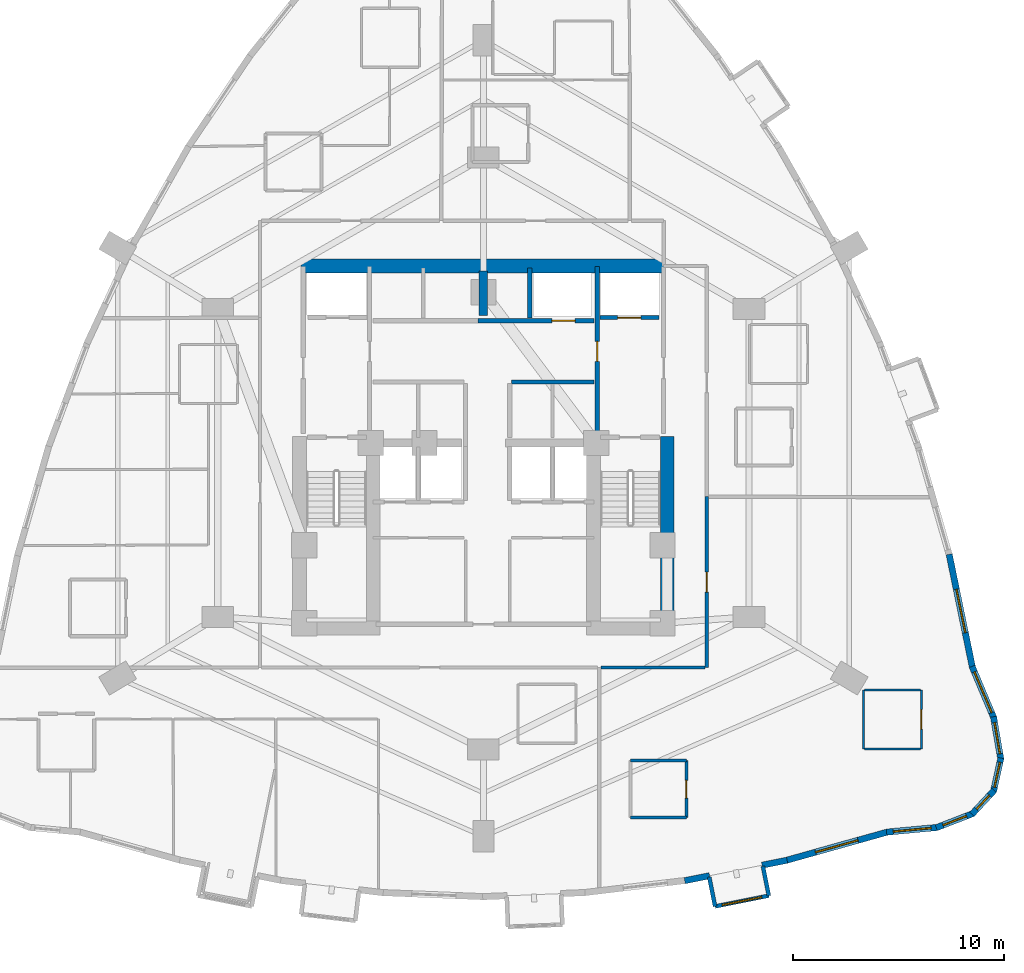
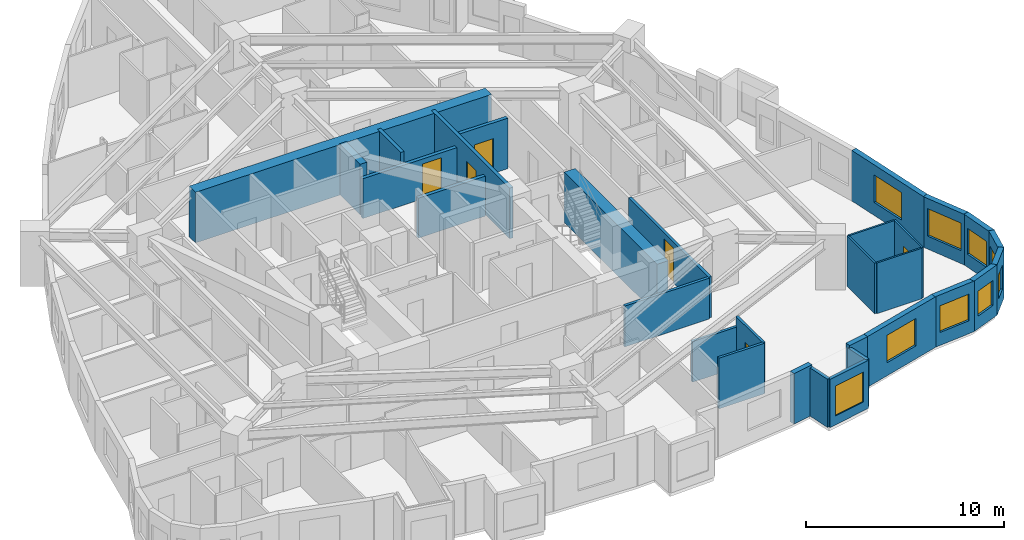
# One storey, part 8 of 12: 30 walls, 9 windows, 6 doors, 15 openings.
"""IFC4 building model written with IfcOpenShell, lengths in metres."""

from ifc_helpers import new_model, si_unit, direction, frame, frame_2d, origin, place, context, subcontext, project, spatial, rectangle, extrude, material, layer, layer_set, type_object, element, fill, save


model = new_model("IFC4")

# Units and contexts
model_context = context("Model", 3, precision=1e-05, world=origin(), true_north=direction((0.0, 1.0)))
body_context = subcontext(model_context, "Body", "Model", "MODEL_VIEW")
ifc_project = project(units=[si_unit("LENGTHUNIT", "METRE"), si_unit("AREAUNIT", "SQUARE_METRE"), si_unit("VOLUMEUNIT", "CUBIC_METRE"), si_unit("PLANEANGLEUNIT", "RADIAN"), si_unit("MASSUNIT", "GRAM", prefix="KILO")], contexts=[model_context])

# Site, building, storey
site_placement = place(None, origin())
site = spatial("IfcSite", under=ifc_project, at=site_placement, CompositionType="ELEMENT")
building_placement = place(site_placement, origin())
building = spatial("IfcBuilding", under=site, at=building_placement, Name="Miruveldt Soraemaru", CompositionType="ELEMENT")
storey_placement = place(building_placement, frame((0.0, 0.0, 56.39990234375)))
storey = spatial("IfcBuildingStorey", under=building, at=storey_placement, Name="L15", CompositionType="ELEMENT", Elevation=56.39990234375)

# Walls
ifc_material_1 = material(Name="White powder-coated aluminium EN AW-6060 T6", Category="aluminium")
ifc_layer_1 = layer(ifc_material_1, 0.18994140625, Name="White powder-coated aluminium EN AW-6060 T6", Category="aluminium")
ifc_layer_set_1 = layer_set([ifc_layer_1], Name="White powder-coated aluminium EN AW-6060 T6")
wall_type_1 = type_object("IfcWallType", Name="WALL-BAY-ALU190", PredefinedType="SOLIDWALL", material=ifc_layer_set_1)
for number, where, z_axis, x_axis, name in (
    (1, (54.7138671875, 23.45751953125, 0.0), (0.0, 0.0, 1.0), (0.196182033934, -0.980567493629, 0.0), "L15 Bay Window Side Cheek 3L"),
    (2, (57.54296875, 22.570068359375, 0.0), (0.0, 0.0, 1.0), (-0.196182033934, 0.980567493629, 0.0), "L15 Bay Window Side Cheek 3R"),
):
    element("IfcWall", number, at=place(storey_placement, frame(where, z_axis=z_axis, x_axis=x_axis)), inside=storey, type_object=wall_type_1, Name=name, PredefinedType="SOLIDWALL", context=body_context, shape_type="SweptSolid", body=[
        extrude(rectangle(XDim=1.4248046875, YDim=0.18994140625, at=frame_2d((0.71240234375, 0.0))), origin(), (0.0, 0.0, 1.0), 2.97509765625),
    ])

# Wall, opening, window
wall_1_placement = place(storey_placement, frame((54.993408203125, 22.060302734375, 0.0), z_axis=(0.0, 0.0, 1.0), x_axis=(0.980591508741, 0.196061962104, 0.0)))
wall_1 = element("IfcWall", 3, at=wall_1_placement, inside=storey, type_object=wall_type_1, Name="L15 Bay Window Front Frame 3", PredefinedType="SOLIDWALL", context=body_context, shape_type="SweptSolid", body=[
    extrude(rectangle(XDim=2.60009765625, YDim=0.18994140625, at=frame_2d((1.300048828125, 0.0))), origin(), (0.0, 0.0, 1.0), 2.97509765625),
])
opening_1_placement = place(wall_1_placement, frame((0.35009765625, 0.0, 0.550048828125)))
opening_1 = element("IfcOpeningElement", 4, at=opening_1_placement, cuts=wall_1, Name="Opening WN-6", PredefinedType="OPENING", context=body_context, shape_type="SweptSolid", body=[
    extrude(rectangle(XDim=1.89990234375, YDim=1.85009765625, at=frame_2d((0.949951171875, 0.925048828125))), frame((0.0, 0.10498046875, 0.0), z_axis=(0.0, -1.0, 0.0), x_axis=(1.0, 0.0, 0.0)), (0.0, 0.0, 1.0), 0.2099609375),
])
ifc_material_2 = material(Name="Triple low-e insulated glazing", Category="glass")
window_type_1 = type_object("IfcWindowType", Name="WIN-BAYW-1900x1850", PartitioningType="SINGLE_PANEL", PredefinedType="WINDOW", material=ifc_material_2)
window_1_placement = place(opening_1_placement, origin())
window_1 = element("IfcWindow", 5, at=window_1_placement, inside=storey, type_object=window_type_1, Name="L15 Projecting Bay Window 3", OverallHeight=1.85009765625, OverallWidth=1.89990234375, PartitioningType="SINGLE_PANEL", PredefinedType="WINDOW", context=body_context, shape_type="SweptSolid", body=[
    extrude(rectangle(XDim=1.89990234375, YDim=1.85009765625, at=frame_2d((0.949951171875, 0.925048828125))), frame((0.0, 0.030029296875, 0.0), z_axis=(0.0, -1.0, 0.0), x_axis=(1.0, 0.0, 0.0)), (0.0, 0.0, 1.0), 0.06005859375),
])
fill(opening_1, window_1)

# Walls
ifc_material_3 = material(Name="Concrete C70/85 (70 MPa)", Category="concrete")
ifc_layer_2 = layer(ifc_material_3, 0.5, Name="Concrete C70/85 (70 MPa)", Category="concrete")
ifc_layer_set_2 = layer_set([ifc_layer_2], Name="Concrete C70/85 (70 MPa)")
wall_type_2 = type_object("IfcWallType", Name="WALL-BW-500", PredefinedType="SHEAR", material=ifc_layer_set_2)
wall_2_placement = place(storey_placement, frame((44.0, 50.10009765625, 0.0), z_axis=(0.0, 0.0, 1.0), x_axis=(0.0, 1.0, 0.0)))
element("IfcWall", 6, at=wall_2_placement, inside=storey, type_object=wall_type_2, Name="L15 Core Buttress Shear Wall BN", PredefinedType="SHEAR", context=body_context, shape_type="SweptSolid", body=[
    extrude(rectangle(XDim=2.099853515625, YDim=0.39990234375, at=frame_2d((1.0498046875, 0.0))), origin(), (0.0, 0.0, 1.0), 3.125),
])
ifc_material_4 = material(Name="Concrete C80/95 (80 MPa)", Category="concrete")
ifc_layer_3 = layer(ifc_material_4, 0.64990234375, Name="Concrete C80/95 (80 MPa)", Category="concrete")
ifc_layer_set_3 = layer_set([ifc_layer_3], Name="Concrete C80/95 (80 MPa)")
wall_type_3 = type_object("IfcWallType", Name="WALL-CW-650", PredefinedType="SHEAR", material=ifc_layer_set_3)
wall_3_placement = place(storey_placement, frame((35.35009765625, 52.449951171875, 0.0), z_axis=(0.0, 0.0, 1.0), x_axis=(1.0, 0.0, 0.0)))
element("IfcWall", 7, at=wall_3_placement, inside=storey, type_object=wall_type_3, Name="L15 Central Core Shear Wall N", PredefinedType="SHEAR", context=body_context, shape_type="SweptSolid", body=[
    extrude(rectangle(XDim=17.2998046875, YDim=0.64990234375, at=frame_2d((8.64990234375, 0.0))), origin(), (0.0, 0.0, 1.0), 3.125),
])
wall_4_placement = place(storey_placement, frame((52.72509765625, 34.949951171875, 0.0), z_axis=(0.0, 0.0, 1.0), x_axis=(0.0, 1.0, 0.0)))
element("IfcWall", 8, at=wall_4_placement, inside=storey, type_object=wall_type_3, Name="L15 Central Core Shear Wall E1", PredefinedType="SHEAR", context=body_context, shape_type="SweptSolid", body=[
    extrude(rectangle(XDim=9.400146484375, YDim=0.64990234375, at=frame_2d((4.7001953125, 0.0))), origin(), (0.0, 0.0, 1.0), 3.125),
])
ifc_material_5 = material(Name="Precast concrete C45/55 (45 MPa)", Category="concrete")
ifc_layer_4 = layer(ifc_material_5, 0.300048828125, Name="Precast concrete C45/55 (45 MPa)", Category="concrete")
ifc_layer_set_4 = layer_set([ifc_layer_4], Name="Precast concrete C45/55 (45 MPa)")
wall_type_4 = type_object("IfcWallType", Name="WALL-EXT-PC300", PredefinedType="SOLIDWALL", material=ifc_layer_set_4)
for number, where, z_axis, x_axis, name in (
    (9, (53.548095703125, 23.280517578125, 0.0), (0.0, 0.0, 1.0), (0.980588449594, 0.196077261617, 0.0), "L15 Precast Pier Wall 27A"),
    (10, (57.223388671875, 24.015380859375, 0.0), (0.0, 0.0, 1.0), (0.980549565903, 0.196271619974, 0.0), "L15 Precast Pier Wall 27B"),
):
    element("IfcWall", number, at=place(storey_placement, frame(where, z_axis=z_axis, x_axis=x_axis)), inside=storey, type_object=wall_type_4, Name=name, PredefinedType="SOLIDWALL", context=body_context, shape_type="SweptSolid", body=[
        extrude(rectangle(XDim=1.207763671875, YDim=0.300048828125, at=frame_2d((0.60400390625, 0.0))), origin(), (0.0, 0.0, 1.0), 3.125),
    ])

# Wall, opening, window
wall_5_placement = place(storey_placement, frame((58.33984375, 24.236083984375, 0.0), z_axis=(0.0, 0.0, 1.0), x_axis=(0.962964019714, 0.26962992552, 0.0)))
wall_5 = element("IfcWall", 11, at=wall_5_placement, inside=storey, type_object=wall_type_4, Name="L15 Precast Concrete Facade Wall 28", PredefinedType="SOLIDWALL", context=body_context, shape_type="SweptSolid", body=[
    extrude(rectangle(XDim=5.045166015625, YDim=0.300048828125, at=frame_2d((2.5224609375, 0.0))), origin(), (0.0, 0.0, 1.0), 3.125),
])
opening_2_placement = place(wall_5_placement, frame((1.471923828125, 0.0, 0.800048828125)))
opening_2 = element("IfcOpeningElement", 12, at=opening_2_placement, cuts=wall_5, Name="Opening WN-1", PredefinedType="OPENING", context=body_context, shape_type="SweptSolid", body=[
    extrude(rectangle(XDim=2.10009765625, YDim=1.699951171875, at=frame_2d((1.050048828125, 0.85009765625))), frame((0.0, 0.16015625, 0.0), z_axis=(0.0, -1.0, 0.0), x_axis=(1.0, 0.0, 0.0)), (0.0, 0.0, 1.0), 0.320068359375),
])
window_type_2 = type_object("IfcWindowType", Name="WIN-PUNCH-2100x1700", PartitioningType="SINGLE_PANEL", PredefinedType="WINDOW", material=ifc_material_2)
window_2_placement = place(opening_2_placement, origin())
window_2 = element("IfcWindow", 13, at=window_2_placement, inside=storey, type_object=window_type_2, Name="L15 Punched Triple-Glazed Window 28.1", OverallHeight=1.699951171875, OverallWidth=2.10009765625, PartitioningType="SINGLE_PANEL", PredefinedType="WINDOW", context=body_context, shape_type="SweptSolid", body=[
    extrude(rectangle(XDim=2.10009765625, YDim=1.699951171875, at=frame_2d((1.050048828125, 0.85009765625))), frame((0.0, 0.030029296875, 0.0), z_axis=(0.0, -1.0, 0.0), x_axis=(1.0, 0.0, 0.0)), (0.0, 0.0, 1.0), 0.06005859375),
])
fill(opening_2, window_2)

wall_6_placement = place(storey_placement, frame((63.129638671875, 25.583740234375, 0.0), z_axis=(0.0, 0.0, 1.0), x_axis=(0.9957548109, 0.092045404935, 0.0)))
wall_6 = element("IfcWall", 14, at=wall_6_placement, inside=storey, type_object=wall_type_4, Name="L15 Precast Concrete Facade Wall 29", PredefinedType="SOLIDWALL", context=body_context, shape_type="SweptSolid", body=[
    extrude(rectangle(XDim=2.434814453125, YDim=0.300048828125, at=frame_2d((1.21728515625, 0.0))), origin(), (0.0, 0.0, 1.0), 3.125),
])
opening_3_placement = place(wall_6_placement, frame((0.318115234375, 0.0, 0.800048828125)))
opening_3 = element("IfcOpeningElement", 15, at=opening_3_placement, cuts=wall_6, Name="Opening WN-2", PredefinedType="OPENING", context=body_context, shape_type="SweptSolid", body=[
    extrude(rectangle(XDim=1.800048828125, YDim=1.64990234375, at=frame_2d((0.89990234375, 0.824951171875))), frame((0.0, 0.16015625, 0.0), z_axis=(0.0, -1.0, 0.0), x_axis=(1.0, 0.0, 0.0)), (0.0, 0.0, 1.0), 0.320068359375),
])
window_type_3 = type_object("IfcWindowType", Name="WIN-PUNCH-1800x1650", PartitioningType="SINGLE_PANEL", PredefinedType="WINDOW", material=ifc_material_2)
window_3_placement = place(opening_3_placement, origin())
window_3 = element("IfcWindow", 16, at=window_3_placement, inside=storey, type_object=window_type_3, Name="L15 Punched Triple-Glazed Window 29.1", OverallHeight=1.64990234375, OverallWidth=1.800048828125, PartitioningType="SINGLE_PANEL", PredefinedType="WINDOW", context=body_context, shape_type="SweptSolid", body=[
    extrude(rectangle(XDim=1.800048828125, YDim=1.64990234375, at=frame_2d((0.89990234375, 0.824951171875))), frame((0.0, 0.030029296875, 0.0), z_axis=(0.0, -1.0, 0.0), x_axis=(1.0, 0.0, 0.0)), (0.0, 0.0, 1.0), 0.06005859375),
])
fill(opening_3, window_3)

wall_7_placement = place(storey_placement, frame((65.48681640625, 25.7919921875, 0.0), z_axis=(0.0, 0.0, 1.0), x_axis=(0.932307524922, 0.36166653007, 0.0)))
wall_7 = element("IfcWall", 17, at=wall_7_placement, inside=storey, type_object=wall_type_4, Name="L15 Precast Concrete Facade Wall 30", PredefinedType="SOLIDWALL", context=body_context, shape_type="SweptSolid", body=[
    extrude(rectangle(XDim=1.8740234375, YDim=0.300048828125, at=frame_2d((0.93701171875, 0.0))), origin(), (0.0, 0.0, 1.0), 3.125),
])
opening_4_placement = place(wall_7_placement, frame((0.3369140625, 0.0, 0.780029296875)))
opening_4 = element("IfcOpeningElement", 18, at=opening_4_placement, cuts=wall_7, Name="Opening WN-4", PredefinedType="OPENING", context=body_context, shape_type="SweptSolid", body=[
    extrude(rectangle(XDim=1.199951171875, YDim=1.550048828125, at=frame_2d((0.60009765625, 0.77490234375))), frame((0.0, 0.16015625, 0.0), z_axis=(0.0, -1.0, 0.0), x_axis=(1.0, 0.0, 0.0)), (0.0, 0.0, 1.0), 0.320068359375),
])
window_type_4 = type_object("IfcWindowType", Name="WIN-PUNCH-1200x1550", PartitioningType="SINGLE_PANEL", PredefinedType="WINDOW", material=ifc_material_2)
window_4_placement = place(opening_4_placement, origin())
window_4 = element("IfcWindow", 19, at=window_4_placement, inside=storey, type_object=window_type_4, Name="L15 Punched Triple-Glazed Window 30.1", OverallHeight=1.550048828125, OverallWidth=1.199951171875, PartitioningType="SINGLE_PANEL", PredefinedType="WINDOW", context=body_context, shape_type="SweptSolid", body=[
    extrude(rectangle(XDim=1.199951171875, YDim=1.550048828125, at=frame_2d((0.60009765625, 0.77490234375))), frame((0.0, 0.030029296875, 0.0), z_axis=(0.0, -1.0, 0.0), x_axis=(1.0, 0.0, 0.0)), (0.0, 0.0, 1.0), 0.06005859375),
])
fill(opening_4, window_4)

wall_8_placement = place(storey_placement, frame((67.177490234375, 26.431396484375, 0.0), z_axis=(0.0, 0.0, 1.0), x_axis=(0.680216015018, 0.733011714035, 0.0)))
wall_8 = element("IfcWall", 20, at=wall_8_placement, inside=storey, type_object=wall_type_4, Name="L15 Precast Concrete Facade Wall 31", PredefinedType="SOLIDWALL", context=body_context, shape_type="SweptSolid", body=[
    extrude(rectangle(XDim=1.5537109375, YDim=0.300048828125, at=frame_2d((0.77685546875, 0.0))), origin(), (0.0, 0.0, 1.0), 3.125),
])
opening_5_placement = place(wall_8_placement, frame((0.326904296875, 0.0, 0.780029296875)))
opening_5 = element("IfcOpeningElement", 21, at=opening_5_placement, cuts=wall_8, Name="Opening WN-7", PredefinedType="OPENING", context=body_context, shape_type="SweptSolid", body=[
    extrude(rectangle(XDim=0.89990234375, YDim=1.5, at=frame_2d((0.449951171875, 0.75))), frame((0.0, 0.16015625, 0.0), z_axis=(0.0, -1.0, 0.0), x_axis=(1.0, 0.0, 0.0)), (0.0, 0.0, 1.0), 0.320068359375),
])
window_type_5 = type_object("IfcWindowType", Name="WIN-PUNCH-900x1500", PartitioningType="SINGLE_PANEL", PredefinedType="WINDOW", material=ifc_material_2)
window_5_placement = place(opening_5_placement, origin())
window_5 = element("IfcWindow", 22, at=window_5_placement, inside=storey, type_object=window_type_5, Name="L15 Punched Triple-Glazed Window 31.1", OverallHeight=1.5, OverallWidth=0.89990234375, PartitioningType="SINGLE_PANEL", PredefinedType="WINDOW", context=body_context, shape_type="SweptSolid", body=[
    extrude(rectangle(XDim=0.89990234375, YDim=1.5, at=frame_2d((0.449951171875, 0.75))), frame((0.0, 0.030029296875, 0.0), z_axis=(0.0, -1.0, 0.0), x_axis=(1.0, 0.0, 0.0)), (0.0, 0.0, 1.0), 0.06005859375),
])
fill(opening_5, window_5)

wall_9_placement = place(storey_placement, frame((68.202880859375, 27.510498046875, 0.0), z_axis=(0.0, 0.0, 1.0), x_axis=(0.215756332669, 0.976447236113, 0.0)))
wall_9 = element("IfcWall", 23, at=wall_9_placement, inside=storey, type_object=wall_type_4, Name="L15 Precast Concrete Facade Wall 32", PredefinedType="SOLIDWALL", context=body_context, shape_type="SweptSolid", body=[
    extrude(rectangle(XDim=1.62939453125, YDim=0.300048828125, at=frame_2d((0.814697265625, 0.0))), origin(), (0.0, 0.0, 1.0), 3.125),
])
opening_6_placement = place(wall_9_placement, frame((0.215087890625, 0.0, 0.780029296875)))
opening_6 = element("IfcOpeningElement", 24, at=opening_6_placement, cuts=wall_9, Name="Opening WN-4", PredefinedType="OPENING", context=body_context, shape_type="SweptSolid", body=[
    extrude(rectangle(XDim=1.199951171875, YDim=1.550048828125, at=frame_2d((0.60009765625, 0.77490234375))), frame((0.0, 0.16015625, 0.0), z_axis=(0.0, -1.0, 0.0), x_axis=(1.0, 0.0, 0.0)), (0.0, 0.0, 1.0), 0.320068359375),
])
window_6_placement = place(opening_6_placement, origin())
window_6 = element("IfcWindow", 25, at=window_6_placement, inside=storey, type_object=window_type_4, Name="L15 Punched Triple-Glazed Window 32.1", OverallHeight=1.550048828125, OverallWidth=1.199951171875, PartitioningType="SINGLE_PANEL", PredefinedType="WINDOW", context=body_context, shape_type="SweptSolid", body=[
    extrude(rectangle(XDim=1.199951171875, YDim=1.550048828125, at=frame_2d((0.60009765625, 0.77490234375))), frame((0.0, 0.030029296875, 0.0), z_axis=(0.0, -1.0, 0.0), x_axis=(1.0, 0.0, 0.0)), (0.0, 0.0, 1.0), 0.06005859375),
])
fill(opening_6, window_6)

wall_10_placement = place(storey_placement, frame((68.552734375, 29.032958984375, 0.0), z_axis=(0.0, 0.0, 1.0), x_axis=(-0.169306525701, 0.98556344309, 0.0)))
wall_10 = element("IfcWall", 26, at=wall_10_placement, inside=storey, type_object=wall_type_4, Name="L15 Precast Concrete Facade Wall 33", PredefinedType="SOLIDWALL", context=body_context, shape_type="SweptSolid", body=[
    extrude(rectangle(XDim=2.056396484375, YDim=0.300048828125, at=frame_2d((1.0283203125, 0.0))), origin(), (0.0, 0.0, 1.0), 3.125),
])
opening_7_placement = place(wall_10_placement, frame((0.278076171875, 0.0, 0.800048828125)))
opening_7 = element("IfcOpeningElement", 27, at=opening_7_placement, cuts=wall_10, Name="Opening WN-3", PredefinedType="OPENING", context=body_context, shape_type="SweptSolid", body=[
    extrude(rectangle(XDim=1.5, YDim=1.60009765625, at=frame_2d((0.75, 0.800048828125))), frame((0.0, 0.16015625, 0.0), z_axis=(0.0, -1.0, 0.0), x_axis=(1.0, 0.0, 0.0)), (0.0, 0.0, 1.0), 0.320068359375),
])
window_type_6 = type_object("IfcWindowType", Name="WIN-PUNCH-1500x1600", PartitioningType="SINGLE_PANEL", PredefinedType="WINDOW", material=ifc_material_2)
window_7_placement = place(opening_7_placement, origin())
window_7 = element("IfcWindow", 28, at=window_7_placement, inside=storey, type_object=window_type_6, Name="L15 Punched Triple-Glazed Window 33.1", OverallHeight=1.60009765625, OverallWidth=1.5, PartitioningType="SINGLE_PANEL", PredefinedType="WINDOW", context=body_context, shape_type="SweptSolid", body=[
    extrude(rectangle(XDim=1.5, YDim=1.60009765625, at=frame_2d((0.75, 0.800048828125))), frame((0.0, 0.030029296875, 0.0), z_axis=(0.0, -1.0, 0.0), x_axis=(1.0, 0.0, 0.0)), (0.0, 0.0, 1.0), 0.06005859375),
])
fill(opening_7, window_7)

wall_11_placement = place(storey_placement, frame((68.22412109375, 30.992919921875, 0.0), z_axis=(0.0, 0.0, 1.0), x_axis=(-0.388642214342, 0.921388750328, 0.0)))
wall_11 = element("IfcWall", 29, at=wall_11_placement, inside=storey, type_object=wall_type_4, Name="L15 Precast Concrete Facade Wall 34", PredefinedType="SOLIDWALL", context=body_context, shape_type="SweptSolid", body=[
    extrude(rectangle(XDim=2.666748046875, YDim=0.300048828125, at=frame_2d((1.33349609375, 0.0))), origin(), (0.0, 0.0, 1.0), 3.125),
])
opening_8_placement = place(wall_11_placement, frame((0.283935546875, 0.0, 0.800048828125)))
opening_8 = element("IfcOpeningElement", 30, at=opening_8_placement, cuts=wall_11, Name="Opening WN-1", PredefinedType="OPENING", context=body_context, shape_type="SweptSolid", body=[
    extrude(rectangle(XDim=2.10009765625, YDim=1.699951171875, at=frame_2d((1.050048828125, 0.85009765625))), frame((0.0, 0.16015625, 0.0), z_axis=(0.0, -1.0, 0.0), x_axis=(1.0, 0.0, 0.0)), (0.0, 0.0, 1.0), 0.320068359375),
])
window_8_placement = place(opening_8_placement, origin())
window_8 = element("IfcWindow", 31, at=window_8_placement, inside=storey, type_object=window_type_2, Name="L15 Punched Triple-Glazed Window 34.1", OverallHeight=1.699951171875, OverallWidth=2.10009765625, PartitioningType="SINGLE_PANEL", PredefinedType="WINDOW", context=body_context, shape_type="SweptSolid", body=[
    extrude(rectangle(XDim=2.10009765625, YDim=1.699951171875, at=frame_2d((1.050048828125, 0.85009765625))), frame((0.0, 0.030029296875, 0.0), z_axis=(0.0, -1.0, 0.0), x_axis=(1.0, 0.0, 0.0)), (0.0, 0.0, 1.0), 0.06005859375),
])
fill(opening_8, window_8)

wall_12_placement = place(storey_placement, frame((67.20849609375, 33.383544921875, 0.0), z_axis=(0.0, 0.0, 1.0), x_axis=(-0.201594047338, 0.979469162392, 0.0)))
wall_12 = element("IfcWall", 32, at=wall_12_placement, inside=storey, type_object=wall_type_4, Name="L15 Precast Concrete Facade Wall 35", PredefinedType="SOLIDWALL", context=body_context, shape_type="SweptSolid", body=[
    extrude(rectangle(XDim=5.499267578125, YDim=0.300048828125, at=frame_2d((2.74951171875, 0.0))), origin(), (0.0, 0.0, 1.0), 3.125),
])
opening_9_placement = place(wall_12_placement, frame((1.698974609375, 0.0, 0.800048828125)))
opening_9 = element("IfcOpeningElement", 33, at=opening_9_placement, cuts=wall_12, Name="Opening WN-1", PredefinedType="OPENING", context=body_context, shape_type="SweptSolid", body=[
    extrude(rectangle(XDim=2.10009765625, YDim=1.699951171875, at=frame_2d((1.050048828125, 0.85009765625))), frame((0.0, 0.16015625, 0.0), z_axis=(0.0, -1.0, 0.0), x_axis=(1.0, 0.0, 0.0)), (0.0, 0.0, 1.0), 0.320068359375),
])
window_9_placement = place(opening_9_placement, origin())
window_9 = element("IfcWindow", 34, at=window_9_placement, inside=storey, type_object=window_type_2, Name="L15 Punched Triple-Glazed Window 35.1", OverallHeight=1.699951171875, OverallWidth=2.10009765625, PartitioningType="SINGLE_PANEL", PredefinedType="WINDOW", context=body_context, shape_type="SweptSolid", body=[
    extrude(rectangle(XDim=2.10009765625, YDim=1.699951171875, at=frame_2d((1.050048828125, 0.85009765625))), frame((0.0, 0.030029296875, 0.0), z_axis=(0.0, -1.0, 0.0), x_axis=(1.0, 0.0, 0.0)), (0.0, 0.0, 1.0), 0.06005859375),
])
fill(opening_9, window_9)

# Wall, opening, door
ifc_material_6 = material(Name="Gypsum plasterboard lining", Category="gypsum")
ifc_layer_5 = layer(ifc_material_6, 0.10009765625, Name="Gypsum plasterboard lining", Category="gypsum")
ifc_layer_set_5 = layer_set([ifc_layer_5], Name="Gypsum plasterboard lining")
wall_type_5 = type_object("IfcWallType", Name="WALL-INT-P100", PredefinedType="PARTITIONING", material=ifc_layer_set_5)
wall_13_placement = place(storey_placement, frame((64.780029296875, 29.535888671875, 0.0), z_axis=(0.0, 0.0, 1.0), x_axis=(0.0, 1.0, 0.0)))
wall_13 = element("IfcWall", 35, at=wall_13_placement, inside=storey, type_object=wall_type_5, Name="L15 Partition Wall 93", PredefinedType="PARTITIONING", context=body_context, shape_type="SweptSolid", body=[
    extrude(rectangle(XDim=2.800048828125, YDim=0.10009765625, at=frame_2d((1.39990234375, 0.0))), origin(), (0.0, 0.0, 1.0), 3.125),
])
opening_10_placement = place(wall_13_placement, frame((0.93994140625, 0.0, 0.0)))
opening_10 = element("IfcOpeningElement", 36, at=opening_10_placement, cuts=wall_13, Name="Opening D3A", PredefinedType="OPENING", context=body_context, shape_type="SweptSolid", body=[
    extrude(rectangle(XDim=0.919921875, YDim=2.10009765625, at=frame_2d((0.4599609375, 1.050048828125))), frame((0.0, 0.06005859375, 0.0), z_axis=(0.0, -1.0, 0.0), x_axis=(1.0, 0.0, 0.0)), (0.0, 0.0, 1.0), 0.1201171875),
])
ifc_material_7 = material(Name="Anodised aluminium EN AW-6063 T6", Category="aluminium")
door_type_1 = type_object("IfcDoorType", Name="DOOR-INT-920", OperationType="NOTDEFINED", PredefinedType="DOOR", material=ifc_material_7)
door_1_placement = place(opening_10_placement, origin())
door_1 = element("IfcDoor", 37, at=door_1_placement, inside=storey, type_object=door_type_1, Name="L15 Unit CL07 KIT Door", OperationType="SINGLE_SWING_RIGHT", OverallHeight=2.10009765625, OverallWidth=0.919921875, PredefinedType="DOOR", context=body_context, shape_type="SweptSolid", body=[
    extrude(rectangle(XDim=0.919921875, YDim=2.10009765625, at=frame_2d((0.4599609375, 1.050048828125))), frame((0.0, 0.02490234375, 0.0), z_axis=(0.0, -1.0, 0.0), x_axis=(1.0, 0.0, 0.0)), (0.0, 0.0, 1.0), 0.050048828125),
])
fill(opening_10, door_1)

# Walls
wall_14_placement = place(storey_placement, frame((62.030029296875, 32.3359375, 0.0), z_axis=(0.0, 0.0, 1.0), x_axis=(0.0, -1.0, 0.0)))
element("IfcWall", 38, at=wall_14_placement, inside=storey, type_object=wall_type_5, Name="L15 Partition Wall 95", PredefinedType="PARTITIONING", context=body_context, shape_type="SweptSolid", body=[
    extrude(rectangle(XDim=2.800048828125, YDim=0.10009765625, at=frame_2d((1.39990234375, 0.0))), origin(), (0.0, 0.0, 1.0), 3.125),
])
for number, where, z_axis, x_axis, name in (
    (39, (64.72998046875, 32.3359375, 0.0), (0.0, 0.0, 1.0), (-1.0, 0.0, 0.0), "L15 Partition Wall 94"),
    (40, (62.080078125, 29.535888671875, 0.0), (0.0, 0.0, 1.0), (1.0, 0.0, 0.0), "L15 Partition Wall 96"),
):
    element("IfcWall", number, at=place(storey_placement, frame(where, z_axis=z_axis, x_axis=x_axis)), inside=storey, type_object=wall_type_5, Name=name, PredefinedType="PARTITIONING", context=body_context, shape_type="SweptSolid", body=[
        extrude(rectangle(XDim=2.64990234375, YDim=0.10009765625, at=frame_2d((1.324951171875, 0.0))), origin(), (0.0, 0.0, 1.0), 3.125),
    ])

# Wall, opening, door
ifc_layer_6 = layer(ifc_material_6, 0.14990234375, Name="Gypsum plasterboard lining", Category="gypsum")
ifc_layer_set_6 = layer_set([ifc_layer_6], Name="Gypsum plasterboard lining")
wall_type_6 = type_object("IfcWallType", Name="WALL-INT-PLUMB", PredefinedType="PLUMBINGWALL", material=ifc_layer_set_6)
wall_15_placement = place(storey_placement, frame((53.6298828125, 26.285888671875, 0.0), z_axis=(0.0, 0.0, 1.0), x_axis=(0.0, 1.0, 0.0)))
wall_15 = element("IfcWall", 41, at=wall_15_placement, inside=storey, type_object=wall_type_6, Name="L15 Partition Wall 89", PredefinedType="PLUMBINGWALL", context=body_context, shape_type="SweptSolid", body=[
    extrude(rectangle(XDim=2.7001953125, YDim=0.14990234375, at=frame_2d((1.35009765625, 0.0))), origin(), (0.0, 0.0, 1.0), 3.125),
])
opening_11_placement = place(wall_15_placement, frame((0.909912109375, 0.0, 0.0)))
opening_11 = element("IfcOpeningElement", 42, at=opening_11_placement, cuts=wall_15, Name="Opening FD3", PredefinedType="OPENING", context=body_context, shape_type="SweptSolid", body=[
    extrude(rectangle(XDim=0.85009765625, YDim=2.10009765625, at=frame_2d((0.425048828125, 1.050048828125))), frame((0.0, 0.0849609375, 0.0), z_axis=(0.0, -1.0, 0.0), x_axis=(1.0, 0.0, 0.0)), (0.0, 0.0, 1.0), 0.169921875),
])
door_type_2 = type_object("IfcDoorType", Name="DOOR-FD3-850", OperationType="NOTDEFINED", PredefinedType="DOOR", material=ifc_material_7)
door_2_placement = place(opening_11_placement, origin())
door_2 = element("IfcDoor", 43, at=door_2_placement, inside=storey, type_object=door_type_2, Name="L15 Unit CL07 BTH Door", OperationType="SINGLE_SWING_LEFT", OverallHeight=2.10009765625, OverallWidth=0.85009765625, PredefinedType="DOOR", context=body_context, shape_type="SweptSolid", body=[
    extrude(rectangle(XDim=0.85009765625, YDim=2.10009765625, at=frame_2d((0.425048828125, 1.050048828125))), frame((0.0, 0.02490234375, 0.0), z_axis=(0.0, -1.0, 0.0), x_axis=(1.0, 0.0, 0.0)), (0.0, 0.0, 1.0), 0.050048828125),
])
fill(opening_11, door_2)

# Walls
wall_16_placement = place(storey_placement, frame((53.6298828125, 28.986083984375, 0.0), z_axis=(0.0, 0.0, 1.0), x_axis=(-1.0, 0.0, 0.0)))
element("IfcWall", 44, at=wall_16_placement, inside=storey, type_object=wall_type_6, Name="L15 Partition Wall 90", PredefinedType="PLUMBINGWALL", context=body_context, shape_type="SweptSolid", body=[
    extrude(rectangle(XDim=2.64990234375, YDim=0.14990234375, at=frame_2d((1.324951171875, 0.0))), origin(), (0.0, 0.0, 1.0), 2.51318359375),
])
wall_17_placement = place(storey_placement, frame((50.97998046875, 26.285888671875, 0.0), z_axis=(0.0, 0.0, 1.0), x_axis=(1.0, 0.0, 0.0)))
element("IfcWall", 45, at=wall_17_placement, inside=storey, type_object=wall_type_6, Name="L15 Partition Wall 92", PredefinedType="PLUMBINGWALL", context=body_context, shape_type="SweptSolid", body=[
    extrude(rectangle(XDim=2.64990234375, YDim=0.14990234375, at=frame_2d((1.324951171875, 0.0))), origin(), (0.0, 0.0, 1.0), 3.125),
])

# Wall, opening, door
ifc_material_8 = material(Name="Concrete C40/50 (40 MPa)", Category="concrete")
ifc_layer_7 = layer(ifc_material_8, 0.159912109375, Name="Concrete C40/50 (40 MPa)", Category="concrete")
ifc_layer_set_7 = layer_set([ifc_layer_7], Name="Concrete C40/50 (40 MPa)")
wall_type_7 = type_object("IfcWallType", Name="WALL-INT-RC160", PredefinedType="SOLIDWALL", material=ifc_layer_set_7)
wall_18_placement = place(storey_placement, frame((54.60009765625, 33.39990234375, 0.0), z_axis=(0.0, 0.0, 1.0), x_axis=(0.0, 1.0, 0.0)))
wall_18 = element("IfcWall", 46, at=wall_18_placement, inside=storey, type_object=wall_type_7, Name="L15 Partition Wall 11", PredefinedType="SOLIDWALL", context=body_context, shape_type="SweptSolid", body=[
    extrude(rectangle(XDim=8.10009765625, YDim=0.159912109375, at=frame_2d((4.050048828125, 0.0))), origin(), (0.0, 0.0, 1.0), 2.525146484375),
])
opening_12_placement = place(wall_18_placement, frame((3.574951171875, 0.0, 0.0)))
opening_12 = element("IfcOpeningElement", 47, at=opening_12_placement, cuts=wall_18, Name="Opening FD2", PredefinedType="OPENING", context=body_context, shape_type="SweptSolid", body=[
    extrude(rectangle(XDim=0.949951171875, YDim=2.14990234375, at=frame_2d((0.47509765625, 1.074951171875))), frame((0.0, 0.08984375, 0.0), z_axis=(0.0, -1.0, 0.0), x_axis=(1.0, 0.0, 0.0)), (0.0, 0.0, 1.0), 0.179931640625),
])
door_type_3 = type_object("IfcDoorType", Name="DOOR-FD2-950", OperationType="NOTDEFINED", PredefinedType="DOOR", material=ifc_material_7)
door_3_placement = place(opening_12_placement, origin())
door_3 = element("IfcDoor", 48, at=door_3_placement, inside=storey, type_object=door_type_3, Name="L15 Unit CL07 Entrance Fire Door", OperationType="SINGLE_SWING_RIGHT", OverallHeight=2.14990234375, OverallWidth=0.949951171875, PredefinedType="DOOR", context=body_context, shape_type="SweptSolid", body=[
    extrude(rectangle(XDim=0.949951171875, YDim=2.14990234375, at=frame_2d((0.47509765625, 1.074951171875))), frame((0.0, 0.02490234375, 0.0), z_axis=(0.0, -1.0, 0.0), x_axis=(1.0, 0.0, 0.0)), (0.0, 0.0, 1.0), 0.050048828125),
])
fill(opening_12, door_3)

# Wall
wall_19_placement = place(storey_placement, frame((49.580078125, 33.39990234375, 0.0), z_axis=(0.0, 0.0, 1.0), x_axis=(1.0, 0.0, 0.0)))
element("IfcWall", 49, at=wall_19_placement, inside=storey, type_object=wall_type_7, Name="L15 Partition Wall 10", PredefinedType="SOLIDWALL", context=body_context, shape_type="SweptSolid", body=[
    extrude(rectangle(XDim=4.93994140625, YDim=0.159912109375, at=frame_2d((2.469970703125, 0.0))), origin(), (0.0, 0.0, 1.0), 2.525146484375),
])

# Wall, opening, door
ifc_layer_8 = layer(ifc_material_8, 0.199951171875, Name="Concrete C40/50 (40 MPa)", Category="concrete")
ifc_layer_set_8 = layer_set([ifc_layer_8], Name="Concrete C40/50 (40 MPa)")
wall_type_8 = type_object("IfcWallType", Name="WALL-INT-RC200", PredefinedType="SOLIDWALL", material=ifc_layer_set_8)
wall_20_placement = place(storey_placement, frame((49.39990234375, 44.5, 0.0), z_axis=(0.0, 0.0, 1.0), x_axis=(0.0, 1.0, 0.0)))
wall_20 = element("IfcWall", 50, at=wall_20_placement, inside=storey, type_object=wall_type_8, Name="L15 Core Compartment Wall FFE-IN", PredefinedType="SOLIDWALL", context=body_context, shape_type="SweptSolid", body=[
    extrude(rectangle(XDim=7.919921875, YDim=0.199951171875, at=frame_2d((3.9599609375, 0.0))), origin(), (0.0, 0.0, 1.0), 3.125),
])
opening_13_placement = place(wall_20_placement, frame((3.425048828125, 0.0, 0.0)))
opening_13 = element("IfcOpeningElement", 51, at=opening_13_placement, cuts=wall_20, Name="Opening FD2", PredefinedType="OPENING", context=body_context, shape_type="SweptSolid", body=[
    extrude(rectangle(XDim=0.949951171875, YDim=2.14990234375, at=frame_2d((0.47509765625, 1.074951171875))), frame((0.0, 0.10986328125, 0.0), z_axis=(0.0, -1.0, 0.0), x_axis=(1.0, 0.0, 0.0)), (0.0, 0.0, 1.0), 0.219970703125),
])
door_4_placement = place(opening_13_placement, origin())
door_4 = element("IfcDoor", 52, at=door_4_placement, inside=storey, type_object=door_type_3, Name="L15 Lift Lobby to East Fire Lobby Door", OperationType="SINGLE_SWING_LEFT", OverallHeight=2.14990234375, OverallWidth=0.949951171875, PredefinedType="DOOR", context=body_context, shape_type="SweptSolid", body=[
    extrude(rectangle(XDim=0.949951171875, YDim=2.14990234375, at=frame_2d((0.47509765625, 1.074951171875))), frame((0.0, 0.02490234375, 0.0), z_axis=(0.0, -1.0, 0.0), x_axis=(1.0, 0.0, 0.0)), (0.0, 0.0, 1.0), 0.050048828125),
])
fill(opening_13, door_4)

wall_21_placement = place(storey_placement, frame((43.75, 49.85009765625, 0.0), z_axis=(0.0, 0.0, 1.0), x_axis=(1.0, 0.0, 0.0)))
wall_21 = element("IfcWall", 53, at=wall_21_placement, inside=storey, type_object=wall_type_8, Name="L15 Core Compartment Wall ROWA-SE", PredefinedType="SOLIDWALL", context=body_context, shape_type="SweptSolid", body=[
    extrude(rectangle(XDim=5.5, YDim=0.199951171875, at=frame_2d((2.75, 0.0))), origin(), (0.0, 0.0, 1.0), 2.463134765625),
])
opening_14_placement = place(wall_21_placement, frame((3.5, 0.0, 0.0)))
opening_14 = element("IfcOpeningElement", 54, at=opening_14_placement, cuts=wall_21, Name="Opening LD2", PredefinedType="OPENING", context=body_context, shape_type="SweptSolid", body=[
    extrude(rectangle(XDim=1.10009765625, YDim=2.14990234375, at=frame_2d((0.550048828125, 1.074951171875))), frame((0.0, 0.10986328125, 0.0), z_axis=(0.0, -1.0, 0.0), x_axis=(1.0, 0.0, 0.0)), (0.0, 0.0, 1.0), 0.219970703125),
])
door_type_4 = type_object("IfcDoorType", Name="DOOR-LD2-1100", OperationType="SLIDING_TO_LEFT", PredefinedType="DOOR", material=ifc_material_7)
door_5_placement = place(opening_14_placement, origin())
door_5 = element("IfcDoor", 55, at=door_5_placement, inside=storey, type_object=door_type_4, Name="L15 SL-1 Landing Door", OperationType="SLIDING_TO_LEFT", OverallHeight=2.14990234375, OverallWidth=1.10009765625, PredefinedType="DOOR", context=body_context, shape_type="SweptSolid", body=[
    extrude(rectangle(XDim=1.10009765625, YDim=2.14990234375, at=frame_2d((0.550048828125, 1.074951171875))), frame((0.0, 0.02490234375, 0.0), z_axis=(0.0, -1.0, 0.0), x_axis=(1.0, 0.0, 0.0)), (0.0, 0.0, 1.0), 0.050048828125),
])
fill(opening_14, door_5)

wall_22_placement = place(storey_placement, frame((49.52001953125, 50.0, 0.0), z_axis=(0.0, 0.0, 1.0), x_axis=(1.0, 0.0, 0.0)))
wall_22 = element("IfcWall", 56, at=wall_22_placement, inside=storey, type_object=wall_type_8, Name="L15 Core Compartment Wall FFL2-S", PredefinedType="SOLIDWALL", context=body_context, shape_type="SweptSolid", body=[
    extrude(rectangle(XDim=2.800048828125, YDim=0.199951171875, at=frame_2d((1.39990234375, 0.0))), origin(), (0.0, 0.0, 1.0), 3.125),
])
opening_15_placement = place(wall_22_placement, frame((0.85009765625, 0.0, 0.0)))
opening_15 = element("IfcOpeningElement", 57, at=opening_15_placement, cuts=wall_22, Name="Opening LD2", PredefinedType="OPENING", context=body_context, shape_type="SweptSolid", body=[
    extrude(rectangle(XDim=1.10009765625, YDim=2.14990234375, at=frame_2d((0.550048828125, 1.074951171875))), frame((0.0, 0.10986328125, 0.0), z_axis=(0.0, -1.0, 0.0), x_axis=(1.0, 0.0, 0.0)), (0.0, 0.0, 1.0), 0.219970703125),
])
door_6_placement = place(opening_15_placement, origin())
door_6 = element("IfcDoor", 58, at=door_6_placement, inside=storey, type_object=door_type_4, Name="L15 FFL-2 Landing Door", OperationType="SLIDING_TO_LEFT", OverallHeight=2.14990234375, OverallWidth=1.10009765625, PredefinedType="DOOR", context=body_context, shape_type="SweptSolid", body=[
    extrude(rectangle(XDim=1.10009765625, YDim=2.14990234375, at=frame_2d((0.550048828125, 1.074951171875))), frame((0.0, 0.02490234375, 0.0), z_axis=(0.0, -1.0, 0.0), x_axis=(1.0, 0.0, 0.0)), (0.0, 0.0, 1.0), 0.050048828125),
])
fill(opening_15, door_6)

# Walls
wall_23_placement = place(storey_placement, frame((45.320068359375, 46.949951171875, 0.0), z_axis=(0.0, 0.0, 1.0), x_axis=(1.0, 0.0, 0.0)))
element("IfcWall", 59, at=wall_23_placement, inside=storey, type_object=wall_type_8, Name="L15 Core Compartment Wall MBE-N", PredefinedType="SOLIDWALL", context=body_context, shape_type="SweptSolid", body=[
    extrude(rectangle(XDim=3.929931640625, YDim=0.199951171875, at=frame_2d((1.96484375, 0.0))), origin(), (0.0, 0.0, 1.0), 2.463134765625),
])
wall_24_placement = place(storey_placement, frame((46.199951171875, 49.97998046875, 0.0), z_axis=(0.0, 0.0, 1.0), x_axis=(0.0, 1.0, 0.0)))
element("IfcWall", 60, at=wall_24_placement, inside=storey, type_object=wall_type_8, Name="L15 Core Compartment Wall PLH-SL-DIV", PredefinedType="SOLIDWALL", context=body_context, shape_type="SweptSolid", body=[
    extrude(rectangle(XDim=2.3701171875, YDim=0.199951171875, at=frame_2d((1.18505859375, 0.0))), origin(), (0.0, 0.0, 1.0), 3.125),
])

save(model, "model.ifc")
